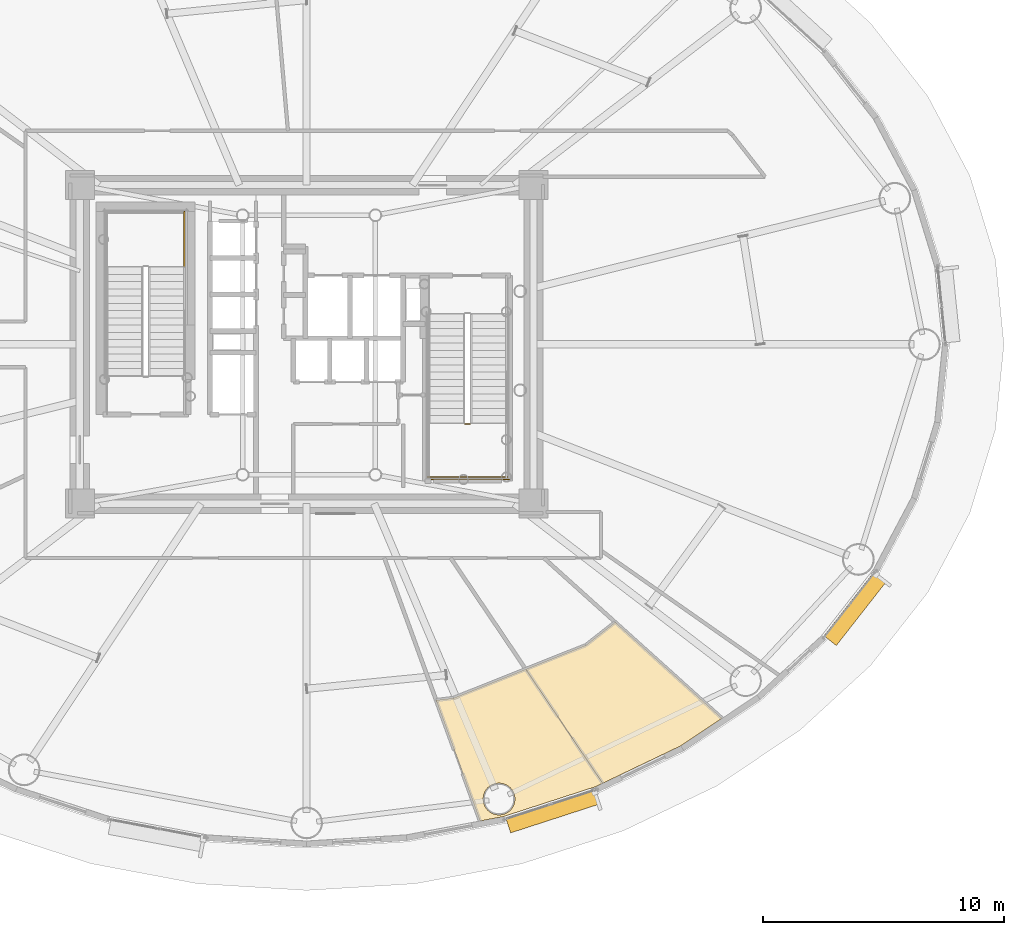
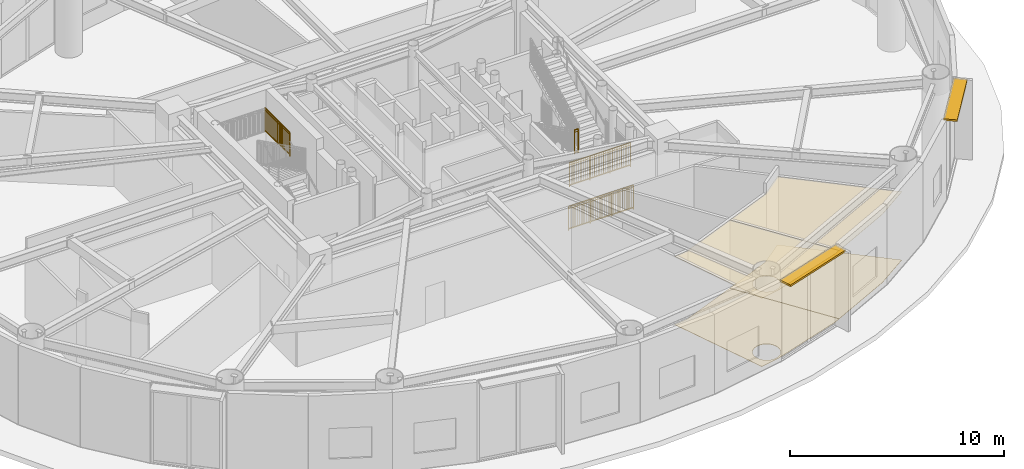
# One storey, part 35 of 38: 4 coverings, 4 railings, 2 shading devices.
"""IFC4 building model written with IfcOpenShell, lengths in metres."""

from ifc_helpers import new_model, si_unit, direction, frame, origin, origin_2d, place, context, subcontext, project, spatial, polyline, rectangle, outline, extrude, source, transform, mapped, material, layer, layer_set, type_object, element, save


model = new_model("IFC4")

# Units and contexts
model_context = context("Model", 3, precision=1e-05, world=origin(), true_north=direction((0.0, 1.0)))
body_context = subcontext(model_context, "Body", "Model", "MODEL_VIEW")
ifc_project = project(units=[si_unit("LENGTHUNIT", "METRE"), si_unit("AREAUNIT", "SQUARE_METRE"), si_unit("VOLUMEUNIT", "CUBIC_METRE"), si_unit("PLANEANGLEUNIT", "RADIAN"), si_unit("MASSUNIT", "GRAM", prefix="KILO")], contexts=[model_context])

# Site, building, storey
site_placement = place(None, origin())
site = spatial("IfcSite", under=ifc_project, at=site_placement, CompositionType="ELEMENT")
building_placement = place(site_placement, origin())
building = spatial("IfcBuilding", under=site, at=building_placement, Name="Linh Dai School and Residence Tower", CompositionType="ELEMENT")
storey_placement = place(building_placement, frame((0.0, 0.0, 151.35009765625)))
storey = spatial("IfcBuildingStorey", under=building, at=storey_placement, Name="L36", CompositionType="ELEMENT", Elevation=151.35009765625)

# Coverings
ifc_material_1 = material(Name="Mineral Fibre Acoustic Suspended Ceiling", Category="masonry")
ifc_layer_1 = layer(ifc_material_1, 0.02001953125)
ifc_layer_set_1 = layer_set([ifc_layer_1], Name="Mineral Fibre Acoustic Suspended Ceiling")
covering_type_1 = type_object("IfcCoveringType", Name="COV-CEIL-AC-20", PredefinedType="CEILING", material=ifc_layer_set_1)
covering_1_placement = place(storey_placement, frame((0.0, 0.0, 3.89990234375)))
element("IfcCovering", 1, at=covering_1_placement, inside=storey, type_object=covering_type_1, Name="L36 Mid-Zone Sky Sitting Alcove MWC Suspended Ceiling", PredefinedType="CEILING", context=body_context, shape_type="SweptSolid", body=[
    extrude(outline(polyline([(42.082763671875, 12.340087890625), (45.081298828125, 13.53662109375), (48.26953125, 8.809814453125), (47.9833984375, 8.672607421875), (44.158203125, 7.431884765625), (43.188720703125, 7.24951171875), (41.367919921875, 12.251708984375), (42.082763671875, 12.340087890625)]), holes=[polyline([(44.61279296875, 8.330078125), (44.546630859375, 8.489501953125), (44.44140625, 8.626708984375), (44.30419921875, 8.73193359375), (44.14453125, 8.798095703125), (43.973388671875, 8.820556640625), (43.802001953125, 8.798095703125), (43.642333984375, 8.73193359375), (43.505126953125, 8.626708984375), (43.39990234375, 8.489501953125), (43.333740234375, 8.330078125), (43.311279296875, 8.15869140625), (43.333740234375, 7.9873046875), (43.39990234375, 7.82763671875), (43.505126953125, 7.6904296875), (43.642333984375, 7.585205078125), (43.802001953125, 7.519287109375), (43.973388671875, 7.49658203125), (44.14453125, 7.519287109375), (44.30419921875, 7.585205078125), (44.44140625, 7.6904296875), (44.546630859375, 7.82763671875), (44.61279296875, 7.9873046875), (44.63525390625, 8.15869140625), (44.61279296875, 8.330078125)])]), origin(), (0.0, 0.0, 1.0), 0.02001953125),
])
covering_2_placement = place(storey_placement, frame((0.0, 0.0, 3.89990234375)))
element("IfcCovering", 2, at=covering_2_placement, inside=storey, type_object=covering_type_1, Name="L36 Mid-Zone Sky Sitting Alcove FWC Suspended Ceiling", PredefinedType="CEILING", context=body_context, shape_type="SweptSolid", body=[
    extrude(outline(polyline([(48.26953125, 8.809814453125), (45.081298828125, 13.53662109375), (47.570068359375, 14.52978515625), (48.789306640625, 15.484619140625), (53.211669921875, 11.502685546875), (51.511474609375, 10.365478515625), (48.26953125, 8.809814453125)])), origin(), (0.0, 0.0, 1.0), 0.02001953125),
])
ifc_material_2 = material(Name="Polished Terrazzo Floor Finish", Category="masonry")
ifc_layer_2 = layer(ifc_material_2, 0.02490234375)
ifc_layer_set_2 = layer_set([ifc_layer_2], Name="Polished Terrazzo Floor Finish")
covering_type_2 = type_object("IfcCoveringType", Name="COV-FLR-TRZ-25", PredefinedType="FLOORING", material=ifc_layer_set_2)
covering_3_placement = place(storey_placement, origin())
element("IfcCovering", 3, at=covering_3_placement, inside=storey, type_object=covering_type_2, Name="L36 Mid-Zone Sky Sitting Alcove MWC Floor Finish", PredefinedType="FLOORING", context=body_context, shape_type="SweptSolid", body=[
    extrude(outline(polyline([(42.082763671875, 12.340087890625), (45.081298828125, 13.53662109375), (48.26953125, 8.809814453125), (47.9833984375, 8.672607421875), (44.158203125, 7.431884765625), (43.188720703125, 7.24951171875), (41.367919921875, 12.251708984375), (42.082763671875, 12.340087890625)]), holes=[polyline([(44.61279296875, 8.330078125), (44.546630859375, 8.489501953125), (44.44140625, 8.626708984375), (44.30419921875, 8.73193359375), (44.14453125, 8.798095703125), (43.973388671875, 8.820556640625), (43.802001953125, 8.798095703125), (43.642333984375, 8.73193359375), (43.505126953125, 8.626708984375), (43.39990234375, 8.489501953125), (43.333740234375, 8.330078125), (43.311279296875, 8.15869140625), (43.333740234375, 7.9873046875), (43.39990234375, 7.82763671875), (43.505126953125, 7.6904296875), (43.642333984375, 7.585205078125), (43.802001953125, 7.519287109375), (43.973388671875, 7.49658203125), (44.14453125, 7.519287109375), (44.30419921875, 7.585205078125), (44.44140625, 7.6904296875), (44.546630859375, 7.82763671875), (44.61279296875, 7.9873046875), (44.63525390625, 8.15869140625), (44.61279296875, 8.330078125)])]), origin(), (0.0, 0.0, 1.0), 0.02001953125),
])
covering_4_placement = place(storey_placement, origin())
element("IfcCovering", 4, at=covering_4_placement, inside=storey, type_object=covering_type_2, Name="L36 Mid-Zone Sky Sitting Alcove FWC Floor Finish", PredefinedType="FLOORING", context=body_context, shape_type="SweptSolid", body=[
    extrude(outline(polyline([(48.26953125, 8.809814453125), (45.081298828125, 13.53662109375), (47.570068359375, 14.52978515625), (48.789306640625, 15.484619140625), (53.211669921875, 11.502685546875), (51.511474609375, 10.365478515625), (48.26953125, 8.809814453125)])), origin(), (0.0, 0.0, 1.0), 0.02001953125),
])

# Shading devices
ifc_material_3 = material(Name="Terracotta Ceramic Sunshade", Category="masonry")
ifc_layer_3 = layer(ifc_material_3, 0.10009765625)
ifc_layer_set_3 = layer_set([ifc_layer_3], Name="Terracotta Ceramic Sunshade")
shading_device_type = type_object("IfcShadingDeviceType", Name="SHD-TC-650", PredefinedType="USERDEFINED", material=ifc_layer_set_3)
shared_shape_1 = source(origin(), body_context, "Body", "SweptSolid", [
    extrude(rectangle(XDim=3.876220703125, YDim=0.64990234375, at=origin_2d()), origin(), (0.0, 0.0, 1.0), 0.10009765625),
])
shading_device_1_placement = place(storey_placement, frame((46.197265625, 7.662353515625, 4.429931640625), z_axis=(0.0, 0.0, 1.0), x_axis=(-0.951212761419, -0.308535707031, 0.0)))
element("IfcShadingDevice", 5, at=shading_device_1_placement, inside=storey, type_object=shading_device_type, Name="L36 Terracotta Horizontal Sunshade Band 33", ObjectType="SUNSHADE", PredefinedType="USERDEFINED", context=body_context, shape_type="MappedRepresentation", body=[
    mapped(shared_shape_1, transform((0.0, 0.0, 0.0), x_axis=(1.0, 0.0, 0.0), y_axis=(0.0, 1.0, 0.0), z_axis=(0.0, 0.0, 1.0), scale=1.0)),
])
shared_shape_2 = source(origin(), body_context, "Body", "SweptSolid", [
    extrude(rectangle(XDim=3.376708984375, YDim=0.64990234375, at=origin_2d()), origin(), (0.0, 0.0, 1.0), 0.10009765625),
])
shading_device_2_placement = place(storey_placement, frame((58.736572265625, 16.05078125, 4.429931640625), z_axis=(0.0, 0.0, 1.0), x_axis=(-0.616286337798, -0.787522158319, 0.0)))
element("IfcShadingDevice", 6, at=shading_device_2_placement, inside=storey, type_object=shading_device_type, Name="L36 Terracotta Horizontal Sunshade Band 37", ObjectType="SUNSHADE", PredefinedType="USERDEFINED", context=body_context, shape_type="MappedRepresentation", body=[
    mapped(shared_shape_2, transform((0.0, 0.0, 0.0), x_axis=(1.0, 0.0, 0.0), y_axis=(0.0, 1.0, 0.0), z_axis=(0.0, 0.0, 1.0), scale=1.0)),
])

# Railings
ifc_material_4 = material(Name="Structural Steel S355JR", Category="steel")
railing_type = type_object("IfcRailingType", Name="RL-ST-GUARD-1400", PredefinedType="GUARDRAIL", material=ifc_material_4)
shared_shape_3 = source(origin(), body_context, "Body", "SweptSolid", [
    extrude(rectangle(XDim=0.048095703125, YDim=0.048095703125, at=origin_2d()), frame((0.0, 0.0, 1.3759765625), z_axis=(0.0, 1.0, 0.0), x_axis=(-1.0, 0.0, 0.0)), (0.0, 0.0, 1.0), 2.300048828125),
    extrude(rectangle(XDim=0.048095703125, YDim=0.048095703125, at=origin_2d()), frame((0.0, 0.0, 0.10009765625), z_axis=(0.0, 1.0, 0.0), x_axis=(-1.0, 0.0, 0.0)), (0.0, 0.0, 1.0), 2.300048828125),
    extrude(rectangle(XDim=0.030029296875, YDim=0.030029296875, at=origin_2d()), frame((0.0, 0.0, 1.239990234375), z_axis=(0.0, 1.0, 0.0), x_axis=(-1.0, 0.0, 0.0)), (0.0, 0.0, 1.0), 2.300048828125),
    extrude(rectangle(XDim=0.02001953125, YDim=0.02001953125, at=origin_2d()), frame((0.0, 0.095947265625, 0.10009765625)), (0.0, 0.0, 1.0), 1.251708984375),
    extrude(rectangle(XDim=0.02001953125, YDim=0.02001953125, at=origin_2d()), frame((0.0, 0.191650390625, 0.10009765625)), (0.0, 0.0, 1.0), 1.251708984375),
    extrude(rectangle(XDim=0.02001953125, YDim=0.02001953125, at=origin_2d()), frame((0.0, 0.28759765625, 0.10009765625)), (0.0, 0.0, 1.0), 1.251708984375),
    extrude(rectangle(XDim=0.02001953125, YDim=0.02001953125, at=origin_2d()), frame((0.0, 0.38330078125, 0.10009765625)), (0.0, 0.0, 1.0), 1.251708984375),
    extrude(rectangle(XDim=0.02001953125, YDim=0.02001953125, at=origin_2d()), frame((0.0, 0.479248046875, 0.10009765625)), (0.0, 0.0, 1.0), 1.251708984375),
    extrude(rectangle(XDim=0.02001953125, YDim=0.02001953125, at=origin_2d()), frame((0.0, 0.574951171875, 0.10009765625)), (0.0, 0.0, 1.0), 1.251708984375),
    extrude(rectangle(XDim=0.02001953125, YDim=0.02001953125, at=origin_2d()), frame((0.0, 0.6708984375, 0.10009765625)), (0.0, 0.0, 1.0), 1.251708984375),
    extrude(rectangle(XDim=0.02001953125, YDim=0.02001953125, at=origin_2d()), frame((0.0, 0.7666015625, 0.10009765625)), (0.0, 0.0, 1.0), 1.251708984375),
    extrude(rectangle(XDim=0.02001953125, YDim=0.02001953125, at=origin_2d()), frame((0.0, 0.862548828125, 0.10009765625)), (0.0, 0.0, 1.0), 1.251708984375),
    extrude(rectangle(XDim=0.02001953125, YDim=0.02001953125, at=origin_2d()), frame((0.0, 0.958251953125, 0.10009765625)), (0.0, 0.0, 1.0), 1.251708984375),
    extrude(rectangle(XDim=0.02001953125, YDim=0.02001953125, at=origin_2d()), frame((0.0, 1.05419921875, 0.10009765625)), (0.0, 0.0, 1.0), 1.251708984375),
    extrude(rectangle(XDim=0.02001953125, YDim=0.02001953125, at=origin_2d()), frame((0.0, 1.245849609375, 0.10009765625)), (0.0, 0.0, 1.0), 1.251708984375),
    extrude(rectangle(XDim=0.02001953125, YDim=0.02001953125, at=origin_2d()), frame((0.0, 1.341796875, 0.10009765625)), (0.0, 0.0, 1.0), 1.251708984375),
    extrude(rectangle(XDim=0.02001953125, YDim=0.02001953125, at=origin_2d()), frame((0.0, 1.4375, 0.10009765625)), (0.0, 0.0, 1.0), 1.251708984375),
    extrude(rectangle(XDim=0.02001953125, YDim=0.02001953125, at=origin_2d()), frame((0.0, 1.533447265625, 0.10009765625)), (0.0, 0.0, 1.0), 1.251708984375),
    extrude(rectangle(XDim=0.02001953125, YDim=0.02001953125, at=origin_2d()), frame((0.0, 1.629150390625, 0.10009765625)), (0.0, 0.0, 1.0), 1.251708984375),
    extrude(rectangle(XDim=0.02001953125, YDim=0.02001953125, at=origin_2d()), frame((0.0, 1.72509765625, 0.10009765625)), (0.0, 0.0, 1.0), 1.251708984375),
    extrude(rectangle(XDim=0.02001953125, YDim=0.02001953125, at=origin_2d()), frame((0.0, 1.82080078125, 0.10009765625)), (0.0, 0.0, 1.0), 1.251708984375),
    extrude(rectangle(XDim=0.02001953125, YDim=0.02001953125, at=origin_2d()), frame((0.0, 1.916748046875, 0.10009765625)), (0.0, 0.0, 1.0), 1.251708984375),
    extrude(rectangle(XDim=0.02001953125, YDim=0.02001953125, at=origin_2d()), frame((0.0, 2.012451171875, 0.10009765625)), (0.0, 0.0, 1.0), 1.251708984375),
    extrude(rectangle(XDim=0.02001953125, YDim=0.02001953125, at=origin_2d()), frame((0.0, 2.1083984375, 0.10009765625)), (0.0, 0.0, 1.0), 1.251708984375),
    extrude(rectangle(XDim=0.02001953125, YDim=0.02001953125, at=origin_2d()), frame((0.0, 2.2041015625, 0.10009765625)), (0.0, 0.0, 1.0), 1.251708984375),
    extrude(rectangle(XDim=0.0419921875, YDim=0.0419921875, at=origin_2d()), origin(), (0.0, 0.0, 1.0), 1.3759765625),
    extrude(rectangle(XDim=0.0419921875, YDim=0.0419921875, at=origin_2d()), frame((0.0, 1.14990234375, 0.0)), (0.0, 0.0, 1.0), 1.3759765625),
    extrude(rectangle(XDim=0.0419921875, YDim=0.0419921875, at=origin_2d()), frame((0.0, 2.300048828125, 0.0)), (0.0, 0.0, 1.0), 1.3759765625),
])
railing_1_placement = place(storey_placement, frame((30.929931640625, 30.199951171875, 2.39990234375)))
element("IfcRailing", 7, at=railing_1_placement, inside=storey, type_object=railing_type, Name="L36 ST1 stair guard 3", PredefinedType="GUARDRAIL", context=body_context, shape_type="MappedRepresentation", body=[
    mapped(shared_shape_3, transform((0.0, 0.0, 0.0), x_axis=(1.0, 0.0, 0.0), y_axis=(0.0, 1.0, 0.0), z_axis=(0.0, 0.0, 1.0), scale=1.0)),
])
shared_shape_4 = source(origin(), body_context, "Body", "SweptSolid", [
    extrude(rectangle(XDim=0.048095703125, YDim=0.048095703125, at=origin_2d()), frame((0.0, 0.0, 1.3759765625), z_axis=(1.0, 0.0, 0.0), x_axis=(0.0, 1.0, 0.0)), (0.0, 0.0, 1.0), 0.199951171875),
    extrude(rectangle(XDim=0.048095703125, YDim=0.048095703125, at=origin_2d()), frame((0.0, 0.0, 0.10009765625), z_axis=(1.0, 0.0, 0.0), x_axis=(0.0, 1.0, 0.0)), (0.0, 0.0, 1.0), 0.199951171875),
    extrude(rectangle(XDim=0.030029296875, YDim=0.030029296875, at=origin_2d()), frame((0.0, 0.0, 1.239990234375), z_axis=(1.0, 0.0, 0.0), x_axis=(0.0, 1.0, 0.0)), (0.0, 0.0, 1.0), 0.199951171875),
    extrude(rectangle(XDim=0.0419921875, YDim=0.0419921875, at=origin_2d()), origin(), (0.0, 0.0, 1.0), 1.3759765625),
    extrude(rectangle(XDim=0.0419921875, YDim=0.0419921875, at=origin_2d()), frame((0.199951171875, 0.0, 0.0)), (0.0, 0.0, 1.0), 1.3759765625),
])
railing_2_placement = place(storey_placement, frame((42.570068359375, 23.699951171875, 2.39990234375)))
element("IfcRailing", 8, at=railing_2_placement, inside=storey, type_object=railing_type, Name="L36 ST2 stair guard 2", PredefinedType="GUARDRAIL", context=body_context, shape_type="MappedRepresentation", body=[
    mapped(shared_shape_4, transform((0.0, 0.0, 0.0), x_axis=(1.0, 0.0, 0.0), y_axis=(0.0, 1.0, 0.0), z_axis=(0.0, 0.0, 1.0), scale=1.0)),
])
shared_shape_5 = source(origin(), body_context, "Body", "SweptSolid", [
    extrude(rectangle(XDim=0.048095703125, YDim=0.048095703125, at=origin_2d()), frame((0.0, 0.0, 1.3759765625), z_axis=(1.0, 0.0, 0.0), x_axis=(0.0, 1.0, 0.0)), (0.0, 0.0, 1.0), 3.300048828125),
    extrude(rectangle(XDim=0.048095703125, YDim=0.048095703125, at=origin_2d()), frame((0.0, 0.0, 0.10009765625), z_axis=(1.0, 0.0, 0.0), x_axis=(0.0, 1.0, 0.0)), (0.0, 0.0, 1.0), 3.300048828125),
    extrude(rectangle(XDim=0.030029296875, YDim=0.030029296875, at=origin_2d()), frame((0.0, 0.0, 1.239990234375), z_axis=(1.0, 0.0, 0.0), x_axis=(0.0, 1.0, 0.0)), (0.0, 0.0, 1.0), 3.300048828125),
    extrude(rectangle(XDim=0.02001953125, YDim=0.02001953125, at=origin_2d()), frame((0.09716796875, 0.0, 0.10009765625)), (0.0, 0.0, 1.0), 1.251708984375),
    extrude(rectangle(XDim=0.02001953125, YDim=0.02001953125, at=origin_2d()), frame((0.194091796875, 0.0, 0.10009765625)), (0.0, 0.0, 1.0), 1.251708984375),
    extrude(rectangle(XDim=0.02001953125, YDim=0.02001953125, at=origin_2d()), frame((0.291259765625, 0.0, 0.10009765625)), (0.0, 0.0, 1.0), 1.251708984375),
    extrude(rectangle(XDim=0.02001953125, YDim=0.02001953125, at=origin_2d()), frame((0.38818359375, 0.0, 0.10009765625)), (0.0, 0.0, 1.0), 1.251708984375),
    extrude(rectangle(XDim=0.02001953125, YDim=0.02001953125, at=origin_2d()), frame((0.4853515625, 0.0, 0.10009765625)), (0.0, 0.0, 1.0), 1.251708984375),
    extrude(rectangle(XDim=0.02001953125, YDim=0.02001953125, at=origin_2d()), frame((0.582275390625, 0.0, 0.10009765625)), (0.0, 0.0, 1.0), 1.251708984375),
    extrude(rectangle(XDim=0.02001953125, YDim=0.02001953125, at=origin_2d()), frame((0.679443359375, 0.0, 0.10009765625)), (0.0, 0.0, 1.0), 1.251708984375),
    extrude(rectangle(XDim=0.02001953125, YDim=0.02001953125, at=origin_2d()), frame((0.7763671875, 0.0, 0.10009765625)), (0.0, 0.0, 1.0), 1.251708984375),
    extrude(rectangle(XDim=0.02001953125, YDim=0.02001953125, at=origin_2d()), frame((0.87353515625, 0.0, 0.10009765625)), (0.0, 0.0, 1.0), 1.251708984375),
    extrude(rectangle(XDim=0.02001953125, YDim=0.02001953125, at=origin_2d()), frame((0.970703125, 0.0, 0.10009765625)), (0.0, 0.0, 1.0), 1.251708984375),
    extrude(rectangle(XDim=0.02001953125, YDim=0.02001953125, at=origin_2d()), frame((1.164794921875, 0.0, 0.10009765625)), (0.0, 0.0, 1.0), 1.251708984375),
    extrude(rectangle(XDim=0.02001953125, YDim=0.02001953125, at=origin_2d()), frame((1.26171875, 0.0, 0.10009765625)), (0.0, 0.0, 1.0), 1.251708984375),
    extrude(rectangle(XDim=0.02001953125, YDim=0.02001953125, at=origin_2d()), frame((1.35888671875, 0.0, 0.10009765625)), (0.0, 0.0, 1.0), 1.251708984375),
    extrude(rectangle(XDim=0.02001953125, YDim=0.02001953125, at=origin_2d()), frame((1.455810546875, 0.0, 0.10009765625)), (0.0, 0.0, 1.0), 1.251708984375),
    extrude(rectangle(XDim=0.02001953125, YDim=0.02001953125, at=origin_2d()), frame((1.552978515625, 0.0, 0.10009765625)), (0.0, 0.0, 1.0), 1.251708984375),
    extrude(rectangle(XDim=0.02001953125, YDim=0.02001953125, at=origin_2d()), frame((1.64990234375, 0.0, 0.10009765625)), (0.0, 0.0, 1.0), 1.251708984375),
    extrude(rectangle(XDim=0.02001953125, YDim=0.02001953125, at=origin_2d()), frame((1.7470703125, 0.0, 0.10009765625)), (0.0, 0.0, 1.0), 1.251708984375),
    extrude(rectangle(XDim=0.02001953125, YDim=0.02001953125, at=origin_2d()), frame((1.84423828125, 0.0, 0.10009765625)), (0.0, 0.0, 1.0), 1.251708984375),
    extrude(rectangle(XDim=0.02001953125, YDim=0.02001953125, at=origin_2d()), frame((1.941162109375, 0.0, 0.10009765625)), (0.0, 0.0, 1.0), 1.251708984375),
    extrude(rectangle(XDim=0.02001953125, YDim=0.02001953125, at=origin_2d()), frame((2.038330078125, 0.0, 0.10009765625)), (0.0, 0.0, 1.0), 1.251708984375),
    extrude(rectangle(XDim=0.02001953125, YDim=0.02001953125, at=origin_2d()), frame((2.13525390625, 0.0, 0.10009765625)), (0.0, 0.0, 1.0), 1.251708984375),
    extrude(rectangle(XDim=0.02001953125, YDim=0.02001953125, at=origin_2d()), frame((2.329345703125, 0.0, 0.10009765625)), (0.0, 0.0, 1.0), 1.251708984375),
    extrude(rectangle(XDim=0.02001953125, YDim=0.02001953125, at=origin_2d()), frame((2.426513671875, 0.0, 0.10009765625)), (0.0, 0.0, 1.0), 1.251708984375),
    extrude(rectangle(XDim=0.02001953125, YDim=0.02001953125, at=origin_2d()), frame((2.523681640625, 0.0, 0.10009765625)), (0.0, 0.0, 1.0), 1.251708984375),
    extrude(rectangle(XDim=0.02001953125, YDim=0.02001953125, at=origin_2d()), frame((2.62060546875, 0.0, 0.10009765625)), (0.0, 0.0, 1.0), 1.251708984375),
    extrude(rectangle(XDim=0.02001953125, YDim=0.02001953125, at=origin_2d()), frame((2.7177734375, 0.0, 0.10009765625)), (0.0, 0.0, 1.0), 1.251708984375),
    extrude(rectangle(XDim=0.02001953125, YDim=0.02001953125, at=origin_2d()), frame((2.814697265625, 0.0, 0.10009765625)), (0.0, 0.0, 1.0), 1.251708984375),
    extrude(rectangle(XDim=0.02001953125, YDim=0.02001953125, at=origin_2d()), frame((2.911865234375, 0.0, 0.10009765625)), (0.0, 0.0, 1.0), 1.251708984375),
    extrude(rectangle(XDim=0.02001953125, YDim=0.02001953125, at=origin_2d()), frame((3.0087890625, 0.0, 0.10009765625)), (0.0, 0.0, 1.0), 1.251708984375),
    extrude(rectangle(XDim=0.02001953125, YDim=0.02001953125, at=origin_2d()), frame((3.10595703125, 0.0, 0.10009765625)), (0.0, 0.0, 1.0), 1.251708984375),
    extrude(rectangle(XDim=0.02001953125, YDim=0.02001953125, at=origin_2d()), frame((3.202880859375, 0.0, 0.10009765625)), (0.0, 0.0, 1.0), 1.251708984375),
    extrude(rectangle(XDim=0.0419921875, YDim=0.0419921875, at=origin_2d()), origin(), (0.0, 0.0, 1.0), 1.3759765625),
    extrude(rectangle(XDim=0.0419921875, YDim=0.0419921875, at=origin_2d()), frame((1.10009765625, 0.0, 0.0)), (0.0, 0.0, 1.0), 1.3759765625),
    extrude(rectangle(XDim=0.0419921875, YDim=0.0419921875, at=origin_2d()), frame((2.199951171875, 0.0, 0.0)), (0.0, 0.0, 1.0), 1.3759765625),
    extrude(rectangle(XDim=0.0419921875, YDim=0.0419921875, at=origin_2d()), frame((3.300048828125, 0.0, 0.0)), (0.0, 0.0, 1.0), 1.3759765625),
])
railing_3_placement = place(storey_placement, frame((41.02001953125, 21.5, 2.39990234375)))
element("IfcRailing", 9, at=railing_3_placement, inside=storey, type_object=railing_type, Name="L36 ST2 stair guard 5", PredefinedType="GUARDRAIL", context=body_context, shape_type="MappedRepresentation", body=[
    mapped(shared_shape_5, transform((0.0, 0.0, 0.0), x_axis=(1.0, 0.0, 0.0), y_axis=(0.0, 1.0, 0.0), z_axis=(0.0, 0.0, 1.0), scale=1.0)),
])
shared_shape_6 = source(origin(), body_context, "Body", "SweptSolid", [
    extrude(rectangle(XDim=0.048095703125, YDim=0.048095703125, at=origin_2d()), frame((0.0, 0.0, 1.3759765625), z_axis=(1.0, 0.0, 0.0), x_axis=(0.0, 1.0, 0.0)), (0.0, 0.0, 1.0), 3.5),
    extrude(rectangle(XDim=0.048095703125, YDim=0.048095703125, at=origin_2d()), frame((0.0, 0.0, 0.10009765625), z_axis=(1.0, 0.0, 0.0), x_axis=(0.0, 1.0, 0.0)), (0.0, 0.0, 1.0), 3.5),
    extrude(rectangle(XDim=0.030029296875, YDim=0.030029296875, at=origin_2d()), frame((0.0, 0.0, 1.239990234375), z_axis=(1.0, 0.0, 0.0), x_axis=(0.0, 1.0, 0.0)), (0.0, 0.0, 1.0), 3.5),
    extrude(rectangle(XDim=0.02001953125, YDim=0.02001953125, at=origin_2d()), frame((0.09716796875, 0.0, 0.10009765625)), (0.0, 0.0, 1.0), 1.251708984375),
    extrude(rectangle(XDim=0.02001953125, YDim=0.02001953125, at=origin_2d()), frame((0.1943359375, 0.0, 0.10009765625)), (0.0, 0.0, 1.0), 1.251708984375),
    extrude(rectangle(XDim=0.02001953125, YDim=0.02001953125, at=origin_2d()), frame((0.291748046875, 0.0, 0.10009765625)), (0.0, 0.0, 1.0), 1.251708984375),
    extrude(rectangle(XDim=0.02001953125, YDim=0.02001953125, at=origin_2d()), frame((0.388916015625, 0.0, 0.10009765625)), (0.0, 0.0, 1.0), 1.251708984375),
    extrude(rectangle(XDim=0.02001953125, YDim=0.02001953125, at=origin_2d()), frame((0.486083984375, 0.0, 0.10009765625)), (0.0, 0.0, 1.0), 1.251708984375),
    extrude(rectangle(XDim=0.02001953125, YDim=0.02001953125, at=origin_2d()), frame((0.583251953125, 0.0, 0.10009765625)), (0.0, 0.0, 1.0), 1.251708984375),
    extrude(rectangle(XDim=0.02001953125, YDim=0.02001953125, at=origin_2d()), frame((0.6806640625, 0.0, 0.10009765625)), (0.0, 0.0, 1.0), 1.251708984375),
    extrude(rectangle(XDim=0.02001953125, YDim=0.02001953125, at=origin_2d()), frame((0.77783203125, 0.0, 0.10009765625)), (0.0, 0.0, 1.0), 1.251708984375),
    extrude(rectangle(XDim=0.02001953125, YDim=0.02001953125, at=origin_2d()), frame((0.875, 0.0, 0.10009765625)), (0.0, 0.0, 1.0), 1.251708984375),
    extrude(rectangle(XDim=0.02001953125, YDim=0.02001953125, at=origin_2d()), frame((0.97216796875, 0.0, 0.10009765625)), (0.0, 0.0, 1.0), 1.251708984375),
    extrude(rectangle(XDim=0.02001953125, YDim=0.02001953125, at=origin_2d()), frame((1.0693359375, 0.0, 0.10009765625)), (0.0, 0.0, 1.0), 1.251708984375),
    extrude(rectangle(XDim=0.02001953125, YDim=0.02001953125, at=origin_2d()), frame((1.263916015625, 0.0, 0.10009765625)), (0.0, 0.0, 1.0), 1.251708984375),
    extrude(rectangle(XDim=0.02001953125, YDim=0.02001953125, at=origin_2d()), frame((1.361083984375, 0.0, 0.10009765625)), (0.0, 0.0, 1.0), 1.251708984375),
    extrude(rectangle(XDim=0.02001953125, YDim=0.02001953125, at=origin_2d()), frame((1.458251953125, 0.0, 0.10009765625)), (0.0, 0.0, 1.0), 1.251708984375),
    extrude(rectangle(XDim=0.02001953125, YDim=0.02001953125, at=origin_2d()), frame((1.5556640625, 0.0, 0.10009765625)), (0.0, 0.0, 1.0), 1.251708984375),
    extrude(rectangle(XDim=0.02001953125, YDim=0.02001953125, at=origin_2d()), frame((1.65283203125, 0.0, 0.10009765625)), (0.0, 0.0, 1.0), 1.251708984375),
    extrude(rectangle(XDim=0.02001953125, YDim=0.02001953125, at=origin_2d()), frame((1.75, 0.0, 0.10009765625)), (0.0, 0.0, 1.0), 1.251708984375),
    extrude(rectangle(XDim=0.02001953125, YDim=0.02001953125, at=origin_2d()), frame((1.84716796875, 0.0, 0.10009765625)), (0.0, 0.0, 1.0), 1.251708984375),
    extrude(rectangle(XDim=0.02001953125, YDim=0.02001953125, at=origin_2d()), frame((1.9443359375, 0.0, 0.10009765625)), (0.0, 0.0, 1.0), 1.251708984375),
    extrude(rectangle(XDim=0.02001953125, YDim=0.02001953125, at=origin_2d()), frame((2.041748046875, 0.0, 0.10009765625)), (0.0, 0.0, 1.0), 1.251708984375),
    extrude(rectangle(XDim=0.02001953125, YDim=0.02001953125, at=origin_2d()), frame((2.138916015625, 0.0, 0.10009765625)), (0.0, 0.0, 1.0), 1.251708984375),
    extrude(rectangle(XDim=0.02001953125, YDim=0.02001953125, at=origin_2d()), frame((2.236083984375, 0.0, 0.10009765625)), (0.0, 0.0, 1.0), 1.251708984375),
    extrude(rectangle(XDim=0.02001953125, YDim=0.02001953125, at=origin_2d()), frame((2.4306640625, 0.0, 0.10009765625)), (0.0, 0.0, 1.0), 1.251708984375),
    extrude(rectangle(XDim=0.02001953125, YDim=0.02001953125, at=origin_2d()), frame((2.52783203125, 0.0, 0.10009765625)), (0.0, 0.0, 1.0), 1.251708984375),
    extrude(rectangle(XDim=0.02001953125, YDim=0.02001953125, at=origin_2d()), frame((2.625, 0.0, 0.10009765625)), (0.0, 0.0, 1.0), 1.251708984375),
    extrude(rectangle(XDim=0.02001953125, YDim=0.02001953125, at=origin_2d()), frame((2.72216796875, 0.0, 0.10009765625)), (0.0, 0.0, 1.0), 1.251708984375),
    extrude(rectangle(XDim=0.02001953125, YDim=0.02001953125, at=origin_2d()), frame((2.8193359375, 0.0, 0.10009765625)), (0.0, 0.0, 1.0), 1.251708984375),
    extrude(rectangle(XDim=0.02001953125, YDim=0.02001953125, at=origin_2d()), frame((2.916748046875, 0.0, 0.10009765625)), (0.0, 0.0, 1.0), 1.251708984375),
    extrude(rectangle(XDim=0.02001953125, YDim=0.02001953125, at=origin_2d()), frame((3.013916015625, 0.0, 0.10009765625)), (0.0, 0.0, 1.0), 1.251708984375),
    extrude(rectangle(XDim=0.02001953125, YDim=0.02001953125, at=origin_2d()), frame((3.111083984375, 0.0, 0.10009765625)), (0.0, 0.0, 1.0), 1.251708984375),
    extrude(rectangle(XDim=0.02001953125, YDim=0.02001953125, at=origin_2d()), frame((3.208251953125, 0.0, 0.10009765625)), (0.0, 0.0, 1.0), 1.251708984375),
    extrude(rectangle(XDim=0.02001953125, YDim=0.02001953125, at=origin_2d()), frame((3.3056640625, 0.0, 0.10009765625)), (0.0, 0.0, 1.0), 1.251708984375),
    extrude(rectangle(XDim=0.02001953125, YDim=0.02001953125, at=origin_2d()), frame((3.40283203125, 0.0, 0.10009765625)), (0.0, 0.0, 1.0), 1.251708984375),
    extrude(rectangle(XDim=0.0419921875, YDim=0.0419921875, at=origin_2d()), origin(), (0.0, 0.0, 1.0), 1.3759765625),
    extrude(rectangle(XDim=0.0419921875, YDim=0.0419921875, at=origin_2d()), frame((1.166748046875, 0.0, 0.0)), (0.0, 0.0, 1.0), 1.3759765625),
    extrude(rectangle(XDim=0.0419921875, YDim=0.0419921875, at=origin_2d()), frame((2.333251953125, 0.0, 0.0)), (0.0, 0.0, 1.0), 1.3759765625),
    extrude(rectangle(XDim=0.0419921875, YDim=0.0419921875, at=origin_2d()), frame((3.5, 0.0, 0.0)), (0.0, 0.0, 1.0), 1.3759765625),
])
railing_4_placement = place(storey_placement, frame((40.919921875, 21.39990234375, 0.0)))
element("IfcRailing", 10, at=railing_4_placement, inside=storey, type_object=railing_type, Name="L36 ST2 stair guard 12", PredefinedType="GUARDRAIL", context=body_context, shape_type="MappedRepresentation", body=[
    mapped(shared_shape_6, transform((0.0, 0.0, 0.0), x_axis=(1.0, 0.0, 0.0), y_axis=(0.0, 1.0, 0.0), z_axis=(0.0, 0.0, 1.0), scale=1.0)),
])

save(model, "model.ifc")
